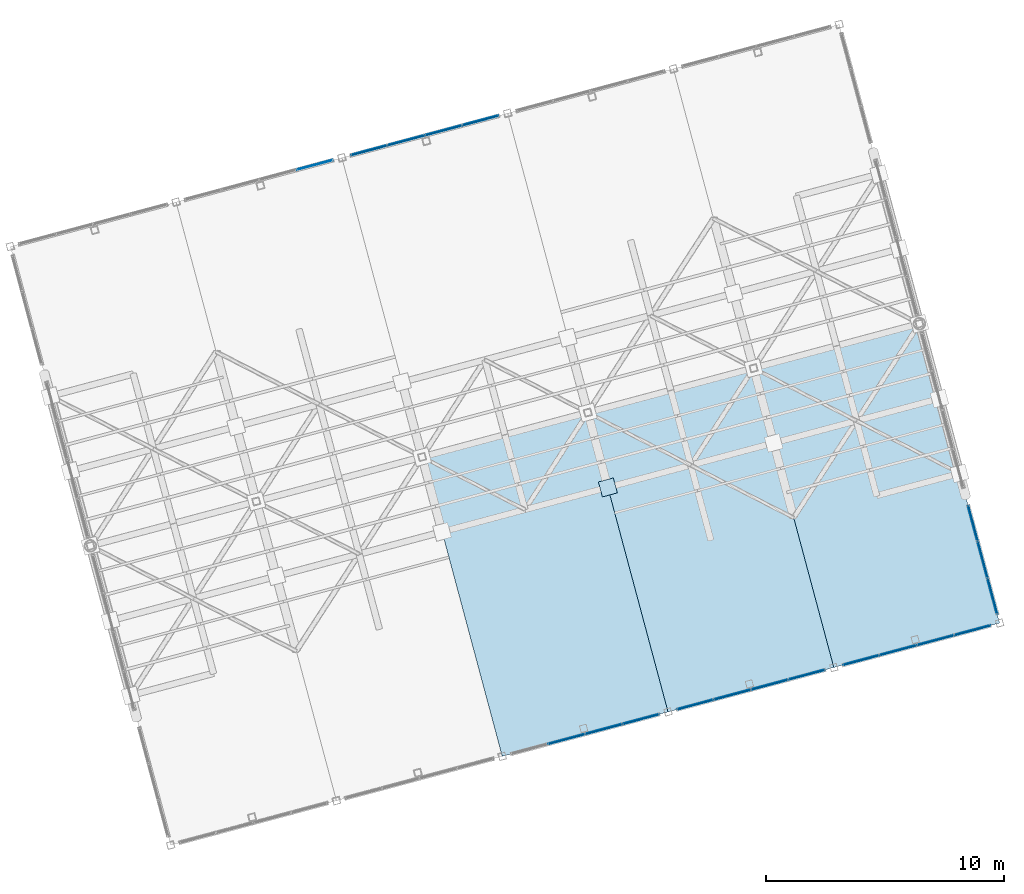
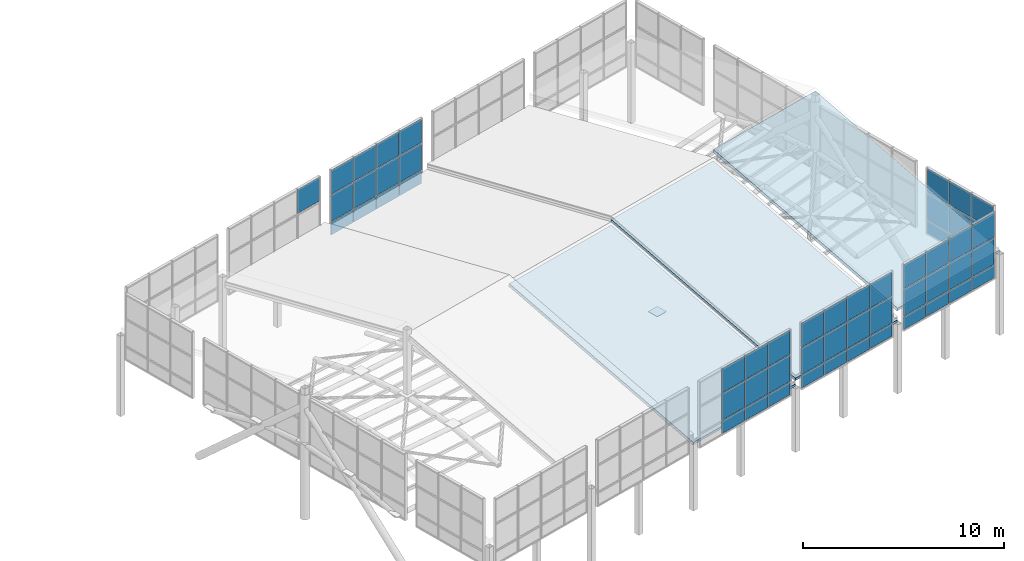
# One storey, part 25 of 28: 56 plates, 3 slabs, 6 elements without a shape of their own.
"""IFC4 building model written with IfcOpenShell, lengths in metres."""

import ifcopenshell
import ifcopenshell.guid

model = None  # the IFC model being written
_history = None  # IfcOwnerHistory: only IFC2X3 demands one
_inside = {}  # id of a spatial element -> (the spatial element, [elements in it])
_under = {}  # id of a project, library or spatial element -> (it, [spatial elements below it])
_declared = {}  # id of a project -> (the project, [libraries it declares])
_typed = {}  # id of a type object -> (the type object, [elements of that type])
_made_of = {}  # id of a material, layer set ... -> (it, [elements and type objects made of it])


def new_model(schema):
    """Start an empty IFC model of exactly this schema.

    Asked for "IFC4X3", IfcOpenShell would pick the latest addendum, in which some entities
    have other attributes; the version numbers below select the first issue.
    IFC2X3 requires an IfcOwnerHistory on every rooted entity: one is made here for all.
    """
    global model, _history
    if schema == "IFC4X3":
        model = ifcopenshell.file(schema_version=(4, 3, 0, 0))
    else:
        model = ifcopenshell.file(schema=schema)
    _inside.clear()
    _under.clear()
    _declared.clear()
    _typed.clear()
    _made_of.clear()
    _history = None
    if model.schema == "IFC2X3":
        org = make("IfcOrganization", Name="unknown")
        user = make(
            "IfcPersonAndOrganization",
            ThePerson=make("IfcPerson", FamilyName="unknown"),
            TheOrganization=org,
        )
        app = make(
            "IfcApplication",
            ApplicationDeveloper=org,
            Version="unknown",
            ApplicationFullName="unknown",
            ApplicationIdentifier="unknown",
        )
        _history = make(
            "IfcOwnerHistory",
            OwningUser=user,
            OwningApplication=app,
            ChangeAction="ADDED",
            CreationDate=0,
        )
    return model


def make(cls, **values):
    """One entity of the class cls with the attributes given. An attribute that is None is left unset."""
    return model.create_entity(
        cls, **{name: value for name, value in values.items() if value is not None}
    )


def rooted(cls, **values):
    """An entity with a GlobalId (a new one), such as an element, a storey or a relation."""
    return make(cls, GlobalId=ifcopenshell.guid.new(), OwnerHistory=_history, **values)


def si_unit(unit_type, name, prefix=None):
    """IfcSIUnit, for example si_unit("LENGTHUNIT", "METRE", prefix="MILLI")."""
    return make("IfcSIUnit", UnitType=unit_type, Prefix=prefix, Name=name)


def assignment(units):
    """IfcUnitAssignment: the units of a project."""
    return None if units is None else make("IfcUnitAssignment", Units=units)


def point(xyz):
    """IfcCartesianPoint."""
    return None if xyz is None else make("IfcCartesianPoint", Coordinates=xyz)


def direction(xyz):
    """IfcDirection."""
    return None if xyz is None else make("IfcDirection", DirectionRatios=xyz)


def frame(location, z_axis=None, x_axis=None):
    """IfcAxis2Placement3D, a coordinate frame: its origin and axes. An axis left out is left unset."""
    return make(
        "IfcAxis2Placement3D",
        Location=point(location),
        Axis=direction(z_axis),
        RefDirection=direction(x_axis),
    )


def frame_2d(location, x_axis=None):
    """IfcAxis2Placement2D, a coordinate frame in the plane: its origin and x axis."""
    return make(
        "IfcAxis2Placement2D", Location=point(location), RefDirection=direction(x_axis)
    )


def origin():
    """The frame at (0, 0, 0) with its axes left unset."""
    return frame((0.0, 0.0, 0.0))


def origin_2d():
    """The frame at (0, 0) in the plane with its x axis left unset."""
    return frame_2d((0.0, 0.0))


def place(relative_to, where):
    """IfcLocalPlacement: puts the frame where relative to a parent placement (None: the world)."""
    return make(
        "IfcLocalPlacement", PlacementRelTo=relative_to, RelativePlacement=where
    )


def context(
    kind, dimensions, precision=None, world=None, true_north=None, identifier=None
):
    """IfcGeometricRepresentationContext, for example the 3D "Model" context."""
    return make(
        "IfcGeometricRepresentationContext",
        ContextIdentifier=identifier,
        ContextType=kind,
        CoordinateSpaceDimension=dimensions,
        Precision=precision,
        WorldCoordinateSystem=world,
        TrueNorth=true_north,
    )


def subcontext(parent, identifier, kind, view, scale=None):
    """IfcGeometricRepresentationSubContext, for example "Body" below "Model"."""
    return make(
        "IfcGeometricRepresentationSubContext",
        ContextIdentifier=identifier,
        ContextType=kind,
        ParentContext=parent,
        TargetScale=scale,
        TargetView=view,
    )


def project(units=None, contexts=None):
    """IfcProject with its units and contexts."""
    return rooted(
        "IfcProject",
        Name="project",
        RepresentationContexts=contexts,
        UnitsInContext=assignment(units),
    )


def spatial(cls, under=None, at=None, **own):
    """A site, building, storey or space (cls), placed at a placement, below another one or the project."""
    s = rooted(cls, ObjectPlacement=at, **own)
    if under is not None:
        _under.setdefault(under.id(), (under, []))[1].append(s)
    return s


def polyline(points):
    """IfcPolyline through the points."""
    return make("IfcPolyline", Points=[point(p) for p in points])


def profile(cls, at=None, kind="AREA", **sizes):
    """A parametric profile (cls). Its sizes go by their IFC names, for example OverallWidth=200.0."""
    return make(cls, ProfileType=kind, Position=at, **sizes)


def rectangle(**sizes):
    """IfcRectangleProfileDef."""
    return profile("IfcRectangleProfileDef", **sizes)


def outline(outer, holes=None, kind="AREA"):
    """IfcArbitraryClosedProfileDef: a profile drawn as a closed curve; with holes, ...WithVoids."""
    if holes is None:
        return make("IfcArbitraryClosedProfileDef", ProfileType=kind, OuterCurve=outer)
    return make(
        "IfcArbitraryProfileDefWithVoids",
        ProfileType=kind,
        OuterCurve=outer,
        InnerCurves=holes,
    )


def extrude(swept, where, along, depth):
    """IfcExtrudedAreaSolid: the profile swept, set in the frame where, extruded along a direction by depth."""
    return make(
        "IfcExtrudedAreaSolid",
        SweptArea=swept,
        Position=where,
        ExtrudedDirection=direction(along),
        Depth=depth,
    )


def shape(context_of_items, identifier, shape_type, items):
    """IfcShapeRepresentation: the items that make up one representation, for example the "Body"."""
    return make(
        "IfcShapeRepresentation",
        ContextOfItems=context_of_items,
        RepresentationIdentifier=identifier,
        RepresentationType=shape_type,
        Items=items,
    )


def material(Name=None, Category=None):
    """IfcMaterial."""
    return make("IfcMaterial", Name=Name, Category=Category)


def layer(
    of_material, thickness, ventilated=None, Name=None, Category=None, Priority=None
):
    """IfcMaterialLayer: one layer of a wall or slab, of a material (None: an air gap)."""
    return make(
        "IfcMaterialLayer",
        Material=of_material,
        LayerThickness=thickness,
        IsVentilated=ventilated,
        Name=Name,
        Category=Category,
        Priority=Priority,
    )


def layer_set(layers, Name=None):
    """IfcMaterialLayerSet."""
    return make("IfcMaterialLayerSet", MaterialLayers=layers, LayerSetName=Name)


def made_of(thing, what):
    """Note that an element or type object is made of a material, layer set ...; save() writes the relation."""
    if what is not None:
        _made_of.setdefault(what.id(), (what, []))[1].append(thing)
    return thing


def type_object(cls, material=None, **own):
    """A type object (cls), such as IfcWallType, which elements share."""
    return made_of(rooted(cls, **own), material)


def element(
    cls,
    number,
    at=None,
    inside=None,
    cuts=None,
    type_object=None,
    material=None,
    context=None,
    identifier="Body",
    shape_type=None,
    held_by="IfcProductDefinitionShape",
    body=None,
    shapes=None,
    **own,
):
    """One element of the class cls, such as IfcWall. Its Tag is "e" and its number.

    at: its placement. inside: the storey or other place that contains it. cuts: it is an
    opening in that element (IfcRelVoidsElement). A single representation is given by context,
    identifier, shape_type and body (its items); several are given by shapes. held_by: the class
    of the entity that holds the representations. save() writes the other relations.
    """
    e = rooted(cls, Tag="e%d" % number, ObjectPlacement=at, **own)
    if body is not None:
        shapes = [shape(context, identifier, shape_type, body)]
    if shapes is not None:
        e.Representation = make(held_by, Representations=shapes)
    if inside is not None:
        _inside.setdefault(inside.id(), (inside, []))[1].append(e)
    if cuts is not None:
        rooted(
            "IfcRelVoidsElement", RelatingBuildingElement=cuts, RelatedOpeningElement=e
        )
    if type_object is not None:
        _typed.setdefault(type_object.id(), (type_object, []))[1].append(e)
    return made_of(e, material)


def aggregate(whole, parts):
    """IfcRelAggregates: a whole, such as a stair, and the parts it consists of."""
    return rooted("IfcRelAggregates", RelatingObject=whole, RelatedObjects=parts)


def save(model, path):
    """Write the relations noted so far, then the file.

    IfcRelAggregates (storeys below a building ...), IfcRelContainedInSpatialStructure (elements
    in a storey), IfcRelDefinesByType, IfcRelAssociatesMaterial and IfcRelDeclares: one each for
    every whole, place, type object, material and project.
    """
    for whole, parts in _under.values():
        aggregate(whole, parts)
    for where, things in _inside.values():
        rooted(
            "IfcRelContainedInSpatialStructure",
            RelatedElements=things,
            RelatingStructure=where,
        )
    for kind, things in _typed.values():
        rooted("IfcRelDefinesByType", RelatedObjects=things, RelatingType=kind)
    for what, things in _made_of.values():
        rooted("IfcRelAssociatesMaterial", RelatedObjects=things, RelatingMaterial=what)
    for by, libraries in _declared.values():
        rooted("IfcRelDeclares", RelatingContext=by, RelatedDefinitions=libraries)
    model.write(path)


model = new_model("IFC4")

# Units and contexts
model_context = context("Model", 3, precision=1e-05, world=origin(), true_north=direction((0.0, 1.0)))
body_context = subcontext(model_context, "Body", "Model", "MODEL_VIEW")
ifc_project = project(units=[si_unit("LENGTHUNIT", "METRE"), si_unit("AREAUNIT", "SQUARE_METRE"), si_unit("VOLUMEUNIT", "CUBIC_METRE"), si_unit("PLANEANGLEUNIT", "RADIAN"), si_unit("MASSUNIT", "GRAM", prefix="KILO")], contexts=[model_context])

# Site, building, storey
site_placement = place(None, origin())
site = spatial("IfcSite", under=ifc_project, at=site_placement, CompositionType="ELEMENT")
building_placement = place(site_placement, origin())
building = spatial("IfcBuilding", under=site, at=building_placement, Name="Ventoquebrada Cableway Terminal", CompositionType="ELEMENT")
storey_placement = place(building_placement, frame((0.0, 0.0, 23.39990234375)))
storey = spatial("IfcBuildingStorey", under=building, at=storey_placement, Name="RF", CompositionType="ELEMENT", Elevation=23.39990234375)

# Curtain wall, plates
ifc_material_1 = material(Name="Anodized thermally-broken aluminium", Category="aluminium")
ifc_layer_1 = layer(ifc_material_1, 0.159912109375)
ifc_layer_set_1 = layer_set([ifc_layer_1], Name="Anodized thermally-broken aluminium")
curtain_wall_type_1 = type_object("IfcCurtainWallType", Name="CW-T48", PredefinedType="USERDEFINED", material=ifc_layer_set_1)
curtain_wall_1_placement = place(storey_placement, origin())
curtain_wall_1 = element("IfcCurtainWall", 1, at=curtain_wall_1_placement, inside=storey, type_object=curtain_wall_type_1, Name="Unitised glazed curtain wall CW-153", ObjectType="UNITISED CURTAIN WALL", PredefinedType="USERDEFINED")
ifc_material_2 = material(Name="Double low-e laminated safety glazing", Category="glass")
ifc_layer_2 = layer(ifc_material_2, 0.031982421875)
ifc_layer_set_2 = layer_set([ifc_layer_2], Name="Double low-e laminated safety glazing")
plate_type_1 = type_object("IfcPlateType", Name="CWP-GL1", PredefinedType="CURTAIN_PANEL", material=ifc_layer_set_2)
plate_1_placement = place(storey_placement, frame((68.5791015625, 74.23291015625, 0.82470703125), z_axis=(0.0, 0.0, 1.0), x_axis=(0.965943892913, 0.258751610128, 0.0)))
plate_1 = element("IfcPlate", 2, at=plate_1_placement, type_object=plate_type_1, Name="Vision glazing panel PN-1571", PredefinedType="CURTAIN_PANEL", context=body_context, shape_type="SweptSolid", body=[
    extrude(rectangle(XDim=1.5810546875, YDim=0.031982421875, at=origin_2d()), origin(), (0.0, 0.0, 1.0), 1.60498046875),
])
plate_2_placement = place(storey_placement, frame((70.14892578125, 74.653076171875, 2.48876953125), z_axis=(0.0, 0.0, 1.0), x_axis=(0.965943892913, 0.258751610128, 0.0)))
plate_2 = element("IfcPlate", 3, at=plate_2_placement, type_object=plate_type_1, Name="Vision glazing panel PN-1575", PredefinedType="CURTAIN_PANEL", context=body_context, shape_type="SweptSolid", body=[
    extrude(rectangle(XDim=1.5810546875, YDim=0.031982421875, at=origin_2d()), origin(), (0.0, 0.0, 1.0), 1.447021484375),
])
plate_3_placement = place(storey_placement, frame((71.701904296875, 75.069091796875, 0.82470703125), z_axis=(0.0, 0.0, 1.0), x_axis=(0.965943892913, 0.258751610128, 0.0)))
plate_3 = element("IfcPlate", 4, at=plate_3_placement, type_object=plate_type_1, Name="Vision glazing panel PN-1577", PredefinedType="CURTAIN_PANEL", context=body_context, shape_type="SweptSolid", body=[
    extrude(rectangle(XDim=1.5458984375, YDim=0.031982421875, at=origin_2d()), origin(), (0.0, 0.0, 1.0), 1.60498046875),
])

curtain_wall_2_placement = place(storey_placement, origin())
curtain_wall_2 = element("IfcCurtainWall", 5, at=curtain_wall_2_placement, inside=storey, type_object=curtain_wall_type_1, Name="Unitised glazed curtain wall CW-154", ObjectType="UNITISED CURTAIN WALL", PredefinedType="USERDEFINED")
plate_4_placement = place(storey_placement, frame((73.98193359375, 75.679931640625, 2.48876953125), z_axis=(0.0, 0.0, 1.0), x_axis=(0.965903236389, 0.258903337047, 0.0)))
plate_4 = element("IfcPlate", 6, at=plate_4_placement, type_object=plate_type_1, Name="Vision glazing panel PN-1581", PredefinedType="CURTAIN_PANEL", context=body_context, shape_type="SweptSolid", body=[
    extrude(rectangle(XDim=1.5458984375, YDim=0.031982421875, at=origin_2d()), origin(), (0.0, 0.0, 1.0), 1.447021484375),
])
plate_5_placement = place(storey_placement, frame((75.534912109375, 76.095947265625, 0.82470703125), z_axis=(0.0, 0.0, 1.0), x_axis=(0.965903236389, 0.258903337047, 0.0)))
plate_5 = element("IfcPlate", 7, at=plate_5_placement, type_object=plate_type_1, Name="Vision glazing panel PN-1583", PredefinedType="CURTAIN_PANEL", context=body_context, shape_type="SweptSolid", body=[
    extrude(rectangle(XDim=1.5810546875, YDim=0.031982421875, at=origin_2d()), origin(), (0.0, 0.0, 1.0), 1.60498046875),
])
plate_6_placement = place(storey_placement, frame((77.10498046875, 76.51708984375, 2.48876953125), z_axis=(0.0, 0.0, 1.0), x_axis=(0.965903236389, 0.258903337047, 0.0)))
plate_6 = element("IfcPlate", 8, at=plate_6_placement, type_object=plate_type_1, Name="Vision glazing panel PN-1587", PredefinedType="CURTAIN_PANEL", context=body_context, shape_type="SweptSolid", body=[
    extrude(rectangle(XDim=1.5810546875, YDim=0.031982421875, at=origin_2d()), origin(), (0.0, 0.0, 1.0), 1.447021484375),
])
plate_7_placement = place(storey_placement, frame((78.656982421875, 76.93310546875, 0.82470703125), z_axis=(0.0, 0.0, 1.0), x_axis=(0.965903236389, 0.258903337047, 0.0)))
plate_7 = element("IfcPlate", 9, at=plate_7_placement, type_object=plate_type_1, Name="Vision glazing panel PN-1589", PredefinedType="CURTAIN_PANEL", context=body_context, shape_type="SweptSolid", body=[
    extrude(rectangle(XDim=1.5458984375, YDim=0.031982421875, at=origin_2d()), origin(), (0.0, 0.0, 1.0), 1.60498046875),
])

curtain_wall_3_placement = place(storey_placement, origin())
curtain_wall_3 = element("IfcCurtainWall", 10, at=curtain_wall_3_placement, inside=storey, type_object=curtain_wall_type_1, Name="Unitised glazed curtain wall CW-155", ObjectType="UNITISED CURTAIN WALL", PredefinedType="USERDEFINED")
plate_8_placement = place(storey_placement, frame((80.93603515625, 77.5439453125, 2.48876953125), z_axis=(0.0, 0.0, 1.0), x_axis=(0.96593486019, 0.258785327773, 0.0)))
plate_8 = element("IfcPlate", 11, at=plate_8_placement, type_object=plate_type_1, Name="Vision glazing panel PN-1593", PredefinedType="CURTAIN_PANEL", context=body_context, shape_type="SweptSolid", body=[
    extrude(rectangle(XDim=1.5458984375, YDim=0.031982421875, at=origin_2d()), origin(), (0.0, 0.0, 1.0), 1.447021484375),
])
plate_9_placement = place(storey_placement, frame((82.489013671875, 77.9599609375, 0.82470703125), z_axis=(0.0, 0.0, 1.0), x_axis=(0.96593486019, 0.258785327773, 0.0)))
plate_9 = element("IfcPlate", 12, at=plate_9_placement, type_object=plate_type_1, Name="Vision glazing panel PN-1595", PredefinedType="CURTAIN_PANEL", context=body_context, shape_type="SweptSolid", body=[
    extrude(rectangle(XDim=1.5810546875, YDim=0.031982421875, at=origin_2d()), origin(), (0.0, 0.0, 1.0), 1.60498046875),
])
plate_10_placement = place(storey_placement, frame((84.05908203125, 78.3798828125, 2.48876953125), z_axis=(0.0, 0.0, 1.0), x_axis=(0.96593486019, 0.258785327773, 0.0)))
plate_10 = element("IfcPlate", 13, at=plate_10_placement, type_object=plate_type_1, Name="Vision glazing panel PN-1599", PredefinedType="CURTAIN_PANEL", context=body_context, shape_type="SweptSolid", body=[
    extrude(rectangle(XDim=1.5810546875, YDim=0.031982421875, at=origin_2d()), origin(), (0.0, 0.0, 1.0), 1.447021484375),
])
plate_11_placement = place(storey_placement, frame((85.612060546875, 78.7958984375, 0.82470703125), z_axis=(0.0, 0.0, 1.0), x_axis=(0.96593486019, 0.258785327773, 0.0)))
plate_11 = element("IfcPlate", 14, at=plate_11_placement, type_object=plate_type_1, Name="Vision glazing panel PN-1601", PredefinedType="CURTAIN_PANEL", context=body_context, shape_type="SweptSolid", body=[
    extrude(rectangle(XDim=1.5458984375, YDim=0.031982421875, at=origin_2d()), origin(), (0.0, 0.0, 1.0), 1.60498046875),
])

# Curtain wall, plate
curtain_wall_4_placement = place(storey_placement, origin())
curtain_wall_4 = element("IfcCurtainWall", 15, at=curtain_wall_4_placement, inside=storey, type_object=curtain_wall_type_1, Name="Unitised glazed curtain wall CW-157", ObjectType="UNITISED CURTAIN WALL", PredefinedType="USERDEFINED")
plate_12_placement = place(storey_placement, frame((58.01806640625, 98.320068359375, 2.48876953125), z_axis=(0.0, 0.0, 1.0), x_axis=(-0.965903236389, -0.258903337047, 0.0)))
plate_12 = element("IfcPlate", 16, at=plate_12_placement, type_object=plate_type_1, Name="Vision glazing panel PN-1617", PredefinedType="CURTAIN_PANEL", context=body_context, shape_type="SweptSolid", body=[
    extrude(rectangle(XDim=1.5458984375, YDim=0.031982421875, at=origin_2d()), origin(), (0.0, 0.0, 1.0), 1.447021484375),
])
aggregate(curtain_wall_4, [plate_12])

# Curtain wall, plates
curtain_wall_5_placement = place(storey_placement, origin())
curtain_wall_5 = element("IfcCurtainWall", 17, at=curtain_wall_5_placement, inside=storey, type_object=curtain_wall_type_1, Name="Unitised glazed curtain wall CW-158", ObjectType="UNITISED CURTAIN WALL", PredefinedType="USERDEFINED")
plate_13_placement = place(storey_placement, frame((64.972900390625, 100.18310546875, 2.48876953125), z_axis=(0.0, 0.0, 1.0), x_axis=(-0.965943892913, -0.258751610128, 0.0)))
plate_13 = element("IfcPlate", 18, at=plate_13_placement, type_object=plate_type_1, Name="Vision glazing panel PN-1629", PredefinedType="CURTAIN_PANEL", context=body_context, shape_type="SweptSolid", body=[
    extrude(rectangle(XDim=1.5458984375, YDim=0.031982421875, at=origin_2d()), origin(), (0.0, 0.0, 1.0), 1.447021484375),
])
plate_14_placement = place(storey_placement, frame((63.419921875, 99.76708984375, 0.82470703125), z_axis=(0.0, 0.0, 1.0), x_axis=(-0.965943892913, -0.258751610128, 0.0)))
plate_14 = element("IfcPlate", 19, at=plate_14_placement, type_object=plate_type_1, Name="Vision glazing panel PN-1631", PredefinedType="CURTAIN_PANEL", context=body_context, shape_type="SweptSolid", body=[
    extrude(rectangle(XDim=1.5810546875, YDim=0.031982421875, at=origin_2d()), origin(), (0.0, 0.0, 1.0), 1.60498046875),
])
plate_15_placement = place(storey_placement, frame((61.85009765625, 99.346923828125, 2.48876953125), z_axis=(0.0, 0.0, 1.0), x_axis=(-0.965943892913, -0.258751610128, 0.0)))
plate_15 = element("IfcPlate", 20, at=plate_15_placement, type_object=plate_type_1, Name="Vision glazing panel PN-1635", PredefinedType="CURTAIN_PANEL", context=body_context, shape_type="SweptSolid", body=[
    extrude(rectangle(XDim=1.5810546875, YDim=0.031982421875, at=origin_2d()), origin(), (0.0, 0.0, 1.0), 1.447021484375),
])
plate_16_placement = place(storey_placement, frame((60.298095703125, 98.930908203125, 0.82470703125), z_axis=(0.0, 0.0, 1.0), x_axis=(-0.965943892913, -0.258751610128, 0.0)))
plate_16 = element("IfcPlate", 21, at=plate_16_placement, type_object=plate_type_1, Name="Vision glazing panel PN-1637", PredefinedType="CURTAIN_PANEL", context=body_context, shape_type="SweptSolid", body=[
    extrude(rectangle(XDim=1.5458984375, YDim=0.031982421875, at=origin_2d()), origin(), (0.0, 0.0, 1.0), 1.60498046875),
])

ifc_layer_3 = layer(ifc_material_1, 0.159912109375)
ifc_layer_set_3 = layer_set([ifc_layer_3], Name="Anodized thermally-broken aluminium")
curtain_wall_type_2 = type_object("IfcCurtainWallType", Name="CW-T49", PredefinedType="USERDEFINED", material=ifc_layer_set_3)
curtain_wall_6_placement = place(storey_placement, origin())
curtain_wall_6 = element("IfcCurtainWall", 22, at=curtain_wall_6_placement, inside=storey, type_object=curtain_wall_type_2, Name="Unitised glazed curtain wall CW-165", ObjectType="UNITISED CURTAIN WALL", PredefinedType="USERDEFINED")
plate_17_placement = place(storey_placement, frame((86.448974609375, 80.22998046875, 2.48876953125), z_axis=(0.0, 0.0, 1.0), x_axis=(-0.258970769183, 0.965885159172, 0.0)))
plate_17 = element("IfcPlate", 23, at=plate_17_placement, type_object=plate_type_1, Name="Vision glazing panel PN-1707", PredefinedType="CURTAIN_PANEL", context=body_context, shape_type="SweptSolid", body=[
    extrude(rectangle(XDim=1.52099609375, YDim=0.031982421875, at=origin_2d()), origin(), (0.0, 0.0, 1.0), 1.447021484375),
])
plate_18_placement = place(storey_placement, frame((86.0400390625, 81.758056640625, 0.82470703125), z_axis=(0.0, 0.0, 1.0), x_axis=(-0.258970769183, 0.965885159172, 0.0)))
plate_18 = element("IfcPlate", 24, at=plate_18_placement, type_object=plate_type_1, Name="Vision glazing panel PN-1709", PredefinedType="CURTAIN_PANEL", context=body_context, shape_type="SweptSolid", body=[
    extrude(rectangle(XDim=1.555908203125, YDim=0.031982421875, at=origin_2d()), origin(), (0.0, 0.0, 1.0), 1.60498046875),
])
plate_19_placement = place(storey_placement, frame((85.6298828125, 83.287109375, 2.48876953125), z_axis=(0.0, 0.0, 1.0), x_axis=(-0.258970769183, 0.965885159172, 0.0)))
plate_19 = element("IfcPlate", 25, at=plate_19_placement, type_object=plate_type_1, Name="Vision glazing panel PN-1713", PredefinedType="CURTAIN_PANEL", context=body_context, shape_type="SweptSolid", body=[
    extrude(rectangle(XDim=1.52099609375, YDim=0.031982421875, at=origin_2d()), origin(), (0.0, 0.0, 1.0), 1.447021484375),
])

# Plate
ifc_layer_4 = layer(ifc_material_2, 0.0380859375)
ifc_layer_set_4 = layer_set([ifc_layer_4], Name="Double low-e laminated safety glazing")
plate_type_2 = type_object("IfcPlateType", Name="CWP-GL2", PredefinedType="CURTAIN_PANEL", material=ifc_layer_set_4)
plate_20_placement = place(storey_placement, frame((68.5791015625, 74.23291015625, 2.48876953125), z_axis=(0.0, 0.0, 1.0), x_axis=(0.965943892913, 0.258751610128, 0.0)))
plate_20 = element("IfcPlate", 26, at=plate_20_placement, type_object=plate_type_2, Name="Vision glazing panel PN-1572", PredefinedType="CURTAIN_PANEL", context=body_context, shape_type="SweptSolid", body=[
    extrude(rectangle(XDim=1.5810546875, YDim=0.0380859375, at=origin_2d()), origin(), (0.0, 0.0, 1.0), 1.447021484375),
])

plate_21_placement = place(storey_placement, frame((70.14892578125, 74.653076171875, 0.82470703125), z_axis=(0.0, 0.0, 1.0), x_axis=(0.965943892913, 0.258751610128, 0.0)))
plate_21 = element("IfcPlate", 27, at=plate_21_placement, type_object=plate_type_2, Name="Vision glazing panel PN-1574", PredefinedType="CURTAIN_PANEL", context=body_context, shape_type="SweptSolid", body=[
    extrude(rectangle(XDim=1.5810546875, YDim=0.0380859375, at=origin_2d()), origin(), (0.0, 0.0, 1.0), 1.60498046875),
])

plate_22_placement = place(storey_placement, frame((71.701904296875, 75.069091796875, 2.48876953125), z_axis=(0.0, 0.0, 1.0), x_axis=(0.965943892913, 0.258751610128, 0.0)))
plate_22 = element("IfcPlate", 28, at=plate_22_placement, type_object=plate_type_2, Name="Vision glazing panel PN-1578", PredefinedType="CURTAIN_PANEL", context=body_context, shape_type="SweptSolid", body=[
    extrude(rectangle(XDim=1.5458984375, YDim=0.0380859375, at=origin_2d()), origin(), (0.0, 0.0, 1.0), 1.447021484375),
])

plate_23_placement = place(storey_placement, frame((73.98193359375, 75.679931640625, 0.82470703125), z_axis=(0.0, 0.0, 1.0), x_axis=(0.965903236389, 0.258903337047, 0.0)))
plate_23 = element("IfcPlate", 29, at=plate_23_placement, type_object=plate_type_2, Name="Vision glazing panel PN-1580", PredefinedType="CURTAIN_PANEL", context=body_context, shape_type="SweptSolid", body=[
    extrude(rectangle(XDim=1.5458984375, YDim=0.0380859375, at=origin_2d()), origin(), (0.0, 0.0, 1.0), 1.60498046875),
])

plate_24_placement = place(storey_placement, frame((75.534912109375, 76.095947265625, 2.48876953125), z_axis=(0.0, 0.0, 1.0), x_axis=(0.965903236389, 0.258903337047, 0.0)))
plate_24 = element("IfcPlate", 30, at=plate_24_placement, type_object=plate_type_2, Name="Vision glazing panel PN-1584", PredefinedType="CURTAIN_PANEL", context=body_context, shape_type="SweptSolid", body=[
    extrude(rectangle(XDim=1.5810546875, YDim=0.0380859375, at=origin_2d()), origin(), (0.0, 0.0, 1.0), 1.447021484375),
])

plate_25_placement = place(storey_placement, frame((77.10498046875, 76.51708984375, 0.82470703125), z_axis=(0.0, 0.0, 1.0), x_axis=(0.965903236389, 0.258903337047, 0.0)))
plate_25 = element("IfcPlate", 31, at=plate_25_placement, type_object=plate_type_2, Name="Vision glazing panel PN-1586", PredefinedType="CURTAIN_PANEL", context=body_context, shape_type="SweptSolid", body=[
    extrude(rectangle(XDim=1.5810546875, YDim=0.0380859375, at=origin_2d()), origin(), (0.0, 0.0, 1.0), 1.60498046875),
])

plate_26_placement = place(storey_placement, frame((78.656982421875, 76.93310546875, 2.48876953125), z_axis=(0.0, 0.0, 1.0), x_axis=(0.965903236389, 0.258903337047, 0.0)))
plate_26 = element("IfcPlate", 32, at=plate_26_placement, type_object=plate_type_2, Name="Vision glazing panel PN-1590", PredefinedType="CURTAIN_PANEL", context=body_context, shape_type="SweptSolid", body=[
    extrude(rectangle(XDim=1.5458984375, YDim=0.0380859375, at=origin_2d()), origin(), (0.0, 0.0, 1.0), 1.447021484375),
])

plate_27_placement = place(storey_placement, frame((80.93603515625, 77.5439453125, 0.82470703125), z_axis=(0.0, 0.0, 1.0), x_axis=(0.96593486019, 0.258785327773, 0.0)))
plate_27 = element("IfcPlate", 33, at=plate_27_placement, type_object=plate_type_2, Name="Vision glazing panel PN-1592", PredefinedType="CURTAIN_PANEL", context=body_context, shape_type="SweptSolid", body=[
    extrude(rectangle(XDim=1.5458984375, YDim=0.0380859375, at=origin_2d()), origin(), (0.0, 0.0, 1.0), 1.60498046875),
])

plate_28_placement = place(storey_placement, frame((82.489013671875, 77.9599609375, 2.48876953125), z_axis=(0.0, 0.0, 1.0), x_axis=(0.96593486019, 0.258785327773, 0.0)))
plate_28 = element("IfcPlate", 34, at=plate_28_placement, type_object=plate_type_2, Name="Vision glazing panel PN-1596", PredefinedType="CURTAIN_PANEL", context=body_context, shape_type="SweptSolid", body=[
    extrude(rectangle(XDim=1.5810546875, YDim=0.0380859375, at=origin_2d()), origin(), (0.0, 0.0, 1.0), 1.447021484375),
])

plate_29_placement = place(storey_placement, frame((84.05908203125, 78.3798828125, 0.82470703125), z_axis=(0.0, 0.0, 1.0), x_axis=(0.96593486019, 0.258785327773, 0.0)))
plate_29 = element("IfcPlate", 35, at=plate_29_placement, type_object=plate_type_2, Name="Vision glazing panel PN-1598", PredefinedType="CURTAIN_PANEL", context=body_context, shape_type="SweptSolid", body=[
    extrude(rectangle(XDim=1.5810546875, YDim=0.0380859375, at=origin_2d()), origin(), (0.0, 0.0, 1.0), 1.60498046875),
])

plate_30_placement = place(storey_placement, frame((85.612060546875, 78.7958984375, 2.48876953125), z_axis=(0.0, 0.0, 1.0), x_axis=(0.96593486019, 0.258785327773, 0.0)))
plate_30 = element("IfcPlate", 36, at=plate_30_placement, type_object=plate_type_2, Name="Vision glazing panel PN-1602", PredefinedType="CURTAIN_PANEL", context=body_context, shape_type="SweptSolid", body=[
    extrude(rectangle(XDim=1.5458984375, YDim=0.0380859375, at=origin_2d()), origin(), (0.0, 0.0, 1.0), 1.447021484375),
])

plate_31_placement = place(storey_placement, frame((64.972900390625, 100.18310546875, 0.82470703125), z_axis=(0.0, 0.0, 1.0), x_axis=(-0.965943892913, -0.258751610128, 0.0)))
plate_31 = element("IfcPlate", 37, at=plate_31_placement, type_object=plate_type_2, Name="Vision glazing panel PN-1628", PredefinedType="CURTAIN_PANEL", context=body_context, shape_type="SweptSolid", body=[
    extrude(rectangle(XDim=1.5458984375, YDim=0.0380859375, at=origin_2d()), origin(), (0.0, 0.0, 1.0), 1.60498046875),
])

plate_32_placement = place(storey_placement, frame((63.419921875, 99.76708984375, 2.48876953125), z_axis=(0.0, 0.0, 1.0), x_axis=(-0.965943892913, -0.258751610128, 0.0)))
plate_32 = element("IfcPlate", 38, at=plate_32_placement, type_object=plate_type_2, Name="Vision glazing panel PN-1632", PredefinedType="CURTAIN_PANEL", context=body_context, shape_type="SweptSolid", body=[
    extrude(rectangle(XDim=1.5810546875, YDim=0.0380859375, at=origin_2d()), origin(), (0.0, 0.0, 1.0), 1.447021484375),
])

plate_33_placement = place(storey_placement, frame((61.85009765625, 99.346923828125, 0.82470703125), z_axis=(0.0, 0.0, 1.0), x_axis=(-0.965943892913, -0.258751610128, 0.0)))
plate_33 = element("IfcPlate", 39, at=plate_33_placement, type_object=plate_type_2, Name="Vision glazing panel PN-1634", PredefinedType="CURTAIN_PANEL", context=body_context, shape_type="SweptSolid", body=[
    extrude(rectangle(XDim=1.5810546875, YDim=0.0380859375, at=origin_2d()), origin(), (0.0, 0.0, 1.0), 1.60498046875),
])

plate_34_placement = place(storey_placement, frame((60.298095703125, 98.930908203125, 2.48876953125), z_axis=(0.0, 0.0, 1.0), x_axis=(-0.965943892913, -0.258751610128, 0.0)))
plate_34 = element("IfcPlate", 40, at=plate_34_placement, type_object=plate_type_2, Name="Vision glazing panel PN-1638", PredefinedType="CURTAIN_PANEL", context=body_context, shape_type="SweptSolid", body=[
    extrude(rectangle(XDim=1.5458984375, YDim=0.0380859375, at=origin_2d()), origin(), (0.0, 0.0, 1.0), 1.447021484375),
])

plate_35_placement = place(storey_placement, frame((86.448974609375, 80.22998046875, 0.82470703125), z_axis=(0.0, 0.0, 1.0), x_axis=(-0.258970769183, 0.965885159172, 0.0)))
plate_35 = element("IfcPlate", 41, at=plate_35_placement, type_object=plate_type_2, Name="Vision glazing panel PN-1706", PredefinedType="CURTAIN_PANEL", context=body_context, shape_type="SweptSolid", body=[
    extrude(rectangle(XDim=1.52099609375, YDim=0.0380859375, at=origin_2d()), origin(), (0.0, 0.0, 1.0), 1.60498046875),
])

plate_36_placement = place(storey_placement, frame((86.0400390625, 81.758056640625, 2.48876953125), z_axis=(0.0, 0.0, 1.0), x_axis=(-0.258970769183, 0.965885159172, 0.0)))
plate_36 = element("IfcPlate", 42, at=plate_36_placement, type_object=plate_type_2, Name="Vision glazing panel PN-1710", PredefinedType="CURTAIN_PANEL", context=body_context, shape_type="SweptSolid", body=[
    extrude(rectangle(XDim=1.555908203125, YDim=0.0380859375, at=origin_2d()), origin(), (0.0, 0.0, 1.0), 1.447021484375),
])

plate_37_placement = place(storey_placement, frame((85.6298828125, 83.287109375, 0.82470703125), z_axis=(0.0, 0.0, 1.0), x_axis=(-0.258970769183, 0.965885159172, 0.0)))
plate_37 = element("IfcPlate", 43, at=plate_37_placement, type_object=plate_type_2, Name="Vision glazing panel PN-1712", PredefinedType="CURTAIN_PANEL", context=body_context, shape_type="SweptSolid", body=[
    extrude(rectangle(XDim=1.52099609375, YDim=0.0380859375, at=origin_2d()), origin(), (0.0, 0.0, 1.0), 1.60498046875),
])

ifc_material_3 = material(Name="Insulated aluminium spandrel cassette", Category="aluminium")
ifc_layer_5 = layer(ifc_material_3, 0.044921875)
ifc_layer_set_5 = layer_set([ifc_layer_5], Name="Insulated aluminium spandrel cassette")
plate_type_3 = type_object("IfcPlateType", Name="CWP-SP1", PredefinedType="CURTAIN_PANEL", material=ifc_layer_set_5)
plate_38_placement = place(storey_placement, frame((68.5791015625, 74.23291015625, 0.01025390625), z_axis=(0.0, 0.0, 1.0), x_axis=(0.965943892913, 0.258751610128, 0.0)))
plate_38 = element("IfcPlate", 44, at=plate_38_placement, type_object=plate_type_3, Name="Insulated spandrel panel PN-1570", PredefinedType="CURTAIN_PANEL", context=body_context, shape_type="SweptSolid", body=[
    extrude(rectangle(XDim=1.5810546875, YDim=0.044921875, at=origin_2d()), origin(), (0.0, 0.0, 1.0), 0.756103515625),
])

plate_39_placement = place(storey_placement, frame((70.14892578125, 74.653076171875, 0.01025390625), z_axis=(0.0, 0.0, 1.0), x_axis=(0.965943892913, 0.258751610128, 0.0)))
plate_39 = element("IfcPlate", 45, at=plate_39_placement, type_object=plate_type_3, Name="Insulated spandrel panel PN-1573", PredefinedType="CURTAIN_PANEL", context=body_context, shape_type="SweptSolid", body=[
    extrude(rectangle(XDim=1.5810546875, YDim=0.044921875, at=origin_2d()), origin(), (0.0, 0.0, 1.0), 0.756103515625),
])

plate_40_placement = place(storey_placement, frame((71.701904296875, 75.069091796875, 0.01025390625), z_axis=(0.0, 0.0, 1.0), x_axis=(0.965943892913, 0.258751610128, 0.0)))
plate_40 = element("IfcPlate", 46, at=plate_40_placement, type_object=plate_type_3, Name="Insulated spandrel panel PN-1576", PredefinedType="CURTAIN_PANEL", context=body_context, shape_type="SweptSolid", body=[
    extrude(rectangle(XDim=1.5458984375, YDim=0.044921875, at=origin_2d()), origin(), (0.0, 0.0, 1.0), 0.756103515625),
])

aggregate(curtain_wall_1, [plate_38, plate_1, plate_20, plate_39, plate_21, plate_2, plate_40, plate_3, plate_22])

plate_41_placement = place(storey_placement, frame((73.98193359375, 75.679931640625, 0.01025390625), z_axis=(0.0, 0.0, 1.0), x_axis=(0.965903236389, 0.258903337047, 0.0)))
plate_41 = element("IfcPlate", 47, at=plate_41_placement, type_object=plate_type_3, Name="Insulated spandrel panel PN-1579", PredefinedType="CURTAIN_PANEL", context=body_context, shape_type="SweptSolid", body=[
    extrude(rectangle(XDim=1.5458984375, YDim=0.044921875, at=origin_2d()), origin(), (0.0, 0.0, 1.0), 0.756103515625),
])

plate_42_placement = place(storey_placement, frame((75.534912109375, 76.095947265625, 0.01025390625), z_axis=(0.0, 0.0, 1.0), x_axis=(0.965903236389, 0.258903337047, 0.0)))
plate_42 = element("IfcPlate", 48, at=plate_42_placement, type_object=plate_type_3, Name="Insulated spandrel panel PN-1582", PredefinedType="CURTAIN_PANEL", context=body_context, shape_type="SweptSolid", body=[
    extrude(rectangle(XDim=1.5810546875, YDim=0.044921875, at=origin_2d()), origin(), (0.0, 0.0, 1.0), 0.756103515625),
])

plate_43_placement = place(storey_placement, frame((77.10498046875, 76.51708984375, 0.01025390625), z_axis=(0.0, 0.0, 1.0), x_axis=(0.965903236389, 0.258903337047, 0.0)))
plate_43 = element("IfcPlate", 49, at=plate_43_placement, type_object=plate_type_3, Name="Insulated spandrel panel PN-1585", PredefinedType="CURTAIN_PANEL", context=body_context, shape_type="SweptSolid", body=[
    extrude(rectangle(XDim=1.5810546875, YDim=0.044921875, at=origin_2d()), origin(), (0.0, 0.0, 1.0), 0.756103515625),
])

plate_44_placement = place(storey_placement, frame((78.656982421875, 76.93310546875, 0.01025390625), z_axis=(0.0, 0.0, 1.0), x_axis=(0.965903236389, 0.258903337047, 0.0)))
plate_44 = element("IfcPlate", 50, at=plate_44_placement, type_object=plate_type_3, Name="Insulated spandrel panel PN-1588", PredefinedType="CURTAIN_PANEL", context=body_context, shape_type="SweptSolid", body=[
    extrude(rectangle(XDim=1.5458984375, YDim=0.044921875, at=origin_2d()), origin(), (0.0, 0.0, 1.0), 0.756103515625),
])

aggregate(curtain_wall_2, [plate_41, plate_23, plate_4, plate_42, plate_5, plate_24, plate_43, plate_25, plate_6, plate_44, plate_7, plate_26])

plate_45_placement = place(storey_placement, frame((80.93603515625, 77.5439453125, 0.01025390625), z_axis=(0.0, 0.0, 1.0), x_axis=(0.96593486019, 0.258785327773, 0.0)))
plate_45 = element("IfcPlate", 51, at=plate_45_placement, type_object=plate_type_3, Name="Insulated spandrel panel PN-1591", PredefinedType="CURTAIN_PANEL", context=body_context, shape_type="SweptSolid", body=[
    extrude(rectangle(XDim=1.5458984375, YDim=0.044921875, at=origin_2d()), origin(), (0.0, 0.0, 1.0), 0.756103515625),
])

plate_46_placement = place(storey_placement, frame((82.489013671875, 77.9599609375, 0.01025390625), z_axis=(0.0, 0.0, 1.0), x_axis=(0.96593486019, 0.258785327773, 0.0)))
plate_46 = element("IfcPlate", 52, at=plate_46_placement, type_object=plate_type_3, Name="Insulated spandrel panel PN-1594", PredefinedType="CURTAIN_PANEL", context=body_context, shape_type="SweptSolid", body=[
    extrude(rectangle(XDim=1.5810546875, YDim=0.044921875, at=origin_2d()), origin(), (0.0, 0.0, 1.0), 0.756103515625),
])

plate_47_placement = place(storey_placement, frame((84.05908203125, 78.3798828125, 0.01025390625), z_axis=(0.0, 0.0, 1.0), x_axis=(0.96593486019, 0.258785327773, 0.0)))
plate_47 = element("IfcPlate", 53, at=plate_47_placement, type_object=plate_type_3, Name="Insulated spandrel panel PN-1597", PredefinedType="CURTAIN_PANEL", context=body_context, shape_type="SweptSolid", body=[
    extrude(rectangle(XDim=1.5810546875, YDim=0.044921875, at=origin_2d()), origin(), (0.0, 0.0, 1.0), 0.756103515625),
])

plate_48_placement = place(storey_placement, frame((85.612060546875, 78.7958984375, 0.01025390625), z_axis=(0.0, 0.0, 1.0), x_axis=(0.96593486019, 0.258785327773, 0.0)))
plate_48 = element("IfcPlate", 54, at=plate_48_placement, type_object=plate_type_3, Name="Insulated spandrel panel PN-1600", PredefinedType="CURTAIN_PANEL", context=body_context, shape_type="SweptSolid", body=[
    extrude(rectangle(XDim=1.5458984375, YDim=0.044921875, at=origin_2d()), origin(), (0.0, 0.0, 1.0), 0.756103515625),
])

aggregate(curtain_wall_3, [plate_45, plate_27, plate_8, plate_46, plate_9, plate_28, plate_47, plate_29, plate_10, plate_48, plate_11, plate_30])

plate_49_placement = place(storey_placement, frame((64.972900390625, 100.18310546875, 0.01025390625), z_axis=(0.0, 0.0, 1.0), x_axis=(-0.965943892913, -0.258751610128, 0.0)))
plate_49 = element("IfcPlate", 55, at=plate_49_placement, type_object=plate_type_3, Name="Insulated spandrel panel PN-1627", PredefinedType="CURTAIN_PANEL", context=body_context, shape_type="SweptSolid", body=[
    extrude(rectangle(XDim=1.5458984375, YDim=0.044921875, at=origin_2d()), origin(), (0.0, 0.0, 1.0), 0.756103515625),
])

plate_50_placement = place(storey_placement, frame((63.419921875, 99.76708984375, 0.01025390625), z_axis=(0.0, 0.0, 1.0), x_axis=(-0.965943892913, -0.258751610128, 0.0)))
plate_50 = element("IfcPlate", 56, at=plate_50_placement, type_object=plate_type_3, Name="Insulated spandrel panel PN-1630", PredefinedType="CURTAIN_PANEL", context=body_context, shape_type="SweptSolid", body=[
    extrude(rectangle(XDim=1.5810546875, YDim=0.044921875, at=origin_2d()), origin(), (0.0, 0.0, 1.0), 0.756103515625),
])

plate_51_placement = place(storey_placement, frame((61.85009765625, 99.346923828125, 0.01025390625), z_axis=(0.0, 0.0, 1.0), x_axis=(-0.965943892913, -0.258751610128, 0.0)))
plate_51 = element("IfcPlate", 57, at=plate_51_placement, type_object=plate_type_3, Name="Insulated spandrel panel PN-1633", PredefinedType="CURTAIN_PANEL", context=body_context, shape_type="SweptSolid", body=[
    extrude(rectangle(XDim=1.5810546875, YDim=0.044921875, at=origin_2d()), origin(), (0.0, 0.0, 1.0), 0.756103515625),
])

plate_52_placement = place(storey_placement, frame((60.298095703125, 98.930908203125, 0.01025390625), z_axis=(0.0, 0.0, 1.0), x_axis=(-0.965943892913, -0.258751610128, 0.0)))
plate_52 = element("IfcPlate", 58, at=plate_52_placement, type_object=plate_type_3, Name="Insulated spandrel panel PN-1636", PredefinedType="CURTAIN_PANEL", context=body_context, shape_type="SweptSolid", body=[
    extrude(rectangle(XDim=1.5458984375, YDim=0.044921875, at=origin_2d()), origin(), (0.0, 0.0, 1.0), 0.756103515625),
])

aggregate(curtain_wall_5, [plate_49, plate_31, plate_13, plate_50, plate_14, plate_32, plate_51, plate_33, plate_15, plate_52, plate_16, plate_34])

plate_53_placement = place(storey_placement, frame((86.448974609375, 80.22998046875, 0.01025390625), z_axis=(0.0, 0.0, 1.0), x_axis=(-0.258970769183, 0.965885159172, 0.0)))
plate_53 = element("IfcPlate", 59, at=plate_53_placement, type_object=plate_type_3, Name="Insulated spandrel panel PN-1705", PredefinedType="CURTAIN_PANEL", context=body_context, shape_type="SweptSolid", body=[
    extrude(rectangle(XDim=1.52099609375, YDim=0.044921875, at=origin_2d()), origin(), (0.0, 0.0, 1.0), 0.756103515625),
])

plate_54_placement = place(storey_placement, frame((86.0400390625, 81.758056640625, 0.01025390625), z_axis=(0.0, 0.0, 1.0), x_axis=(-0.258970769183, 0.965885159172, 0.0)))
plate_54 = element("IfcPlate", 60, at=plate_54_placement, type_object=plate_type_3, Name="Insulated spandrel panel PN-1708", PredefinedType="CURTAIN_PANEL", context=body_context, shape_type="SweptSolid", body=[
    extrude(rectangle(XDim=1.555908203125, YDim=0.044921875, at=origin_2d()), origin(), (0.0, 0.0, 1.0), 0.756103515625),
])

plate_55_placement = place(storey_placement, frame((85.6298828125, 83.287109375, 0.01025390625), z_axis=(0.0, 0.0, 1.0), x_axis=(-0.258970769183, 0.965885159172, 0.0)))
plate_55 = element("IfcPlate", 61, at=plate_55_placement, type_object=plate_type_3, Name="Insulated spandrel panel PN-1711", PredefinedType="CURTAIN_PANEL", context=body_context, shape_type="SweptSolid", body=[
    extrude(rectangle(XDim=1.52099609375, YDim=0.044921875, at=origin_2d()), origin(), (0.0, 0.0, 1.0), 0.756103515625),
])

aggregate(curtain_wall_6, [plate_53, plate_35, plate_17, plate_54, plate_18, plate_36, plate_55, plate_37, plate_19])

ifc_material_4 = material(Name="Steel ASTM A572 Grade 50", Category="steel")
ifc_layer_6 = layer(ifc_material_4, 0.030029296875)
ifc_layer_set_6 = layer_set([ifc_layer_6], Name="Steel ASTM A572 Grade 50")
plate_type_4 = type_object("IfcPlateType", Name="ND-PL01", PredefinedType="SHEET", material=ifc_layer_set_6)
plate_56_placement = place(storey_placement, frame((70.318115234375, 84.7919921875, 0.01123046875), z_axis=(0.0, 0.0, 1.0), x_axis=(0.965925826289, 0.258819045103, 0.0)))
element("IfcPlate", 62, at=plate_56_placement, inside=storey, type_object=plate_type_4, Name="Gridshell welded node cap plate ND-024", PredefinedType="SHEET", context=body_context, shape_type="SweptSolid", body=[
    extrude(rectangle(XDim=0.64990234375, YDim=0.64990234375, at=origin_2d()), origin(), (0.0, 0.0, 1.0), 0.030029296875),
])

# Slabs
ifc_material_5 = material(Name="Concrete C45/55", Category="concrete")
ifc_layer_7 = layer(ifc_material_5, 0.260009765625)
ifc_layer_set_7 = layer_set([ifc_layer_7], Name="Concrete C45/55")
slab_type = type_object("IfcSlabType", Name="SL-RF3", PredefinedType="ROOF", material=ifc_layer_set_7)
slab_1_placement = place(storey_placement, frame((65.875, 73.555419921875, 0.268798828125), z_axis=(0.062621890363, -0.233656057224, 0.970300647104), x_axis=(0.965911707161, 0.258871732658, -2.76869e-07)))
element("IfcSlab", 63, at=slab_1_placement, inside=storey, type_object=slab_type, Name="Saddle gridshell structural roof deck SL-097", PredefinedType="ROOF", context=body_context, shape_type="SweptSolid", body=[
    extrude(outline(polyline([(0.0, 0.0), (7.200531834092966, -6.661338147750939e-16), (7.200869990968603, 13.39784982595029), (0.0013446311337677068, 13.39783334435648), (0.0, 0.0)])), origin(), (0.0, 0.0, 1.0), 0.18994140625),
])
slab_2_placement = place(storey_placement, frame((72.830078125, 75.41943359375, 0.61474609375), z_axis=(0.062591847683, -0.233663381059, 0.970300821888), x_axis=(0.965945563826, 0.25874537237, -1.029639e-06)))
element("IfcSlab", 64, at=slab_2_placement, inside=storey, type_object=slab_type, Name="Saddle gridshell structural roof deck SL-099", PredefinedType="ROOF", context=body_context, shape_type="SweptSolid", body=[
    extrude(outline(polyline([(0.0, 0.0), (7.200279091514681, 0.0), (7.198678363216417, 13.397911054784757), (-0.0013649017445958491, 13.397849760691276), (0.0, 0.0)])), origin(), (0.0, 0.0, 1.0), 0.18994140625),
])
slab_3_placement = place(storey_placement, frame((79.78515625, 77.282470703125, 1.3056640625), z_axis=(0.062631575433, -0.233672788736, 0.970295992759), x_axis=(0.965900693868, 0.258912822314, 5.152099e-06)))
element("IfcSlab", 65, at=slab_3_placement, inside=storey, type_object=slab_type, Name="Saddle gridshell structural roof deck SL-101", PredefinedType="ROOF", context=body_context, shape_type="SweptSolid", body=[
    extrude(outline(polyline([(0.0, 0.0), (7.1993527494658585, 6.661338147750939e-16), (7.201204782801671, 13.397663524347369), (0.0006729553403683779, 13.397970193387739), (0.0, 0.0)])), origin(), (0.0, 0.0, 1.0), 0.18994140625),
])

save(model, "model.ifc")
